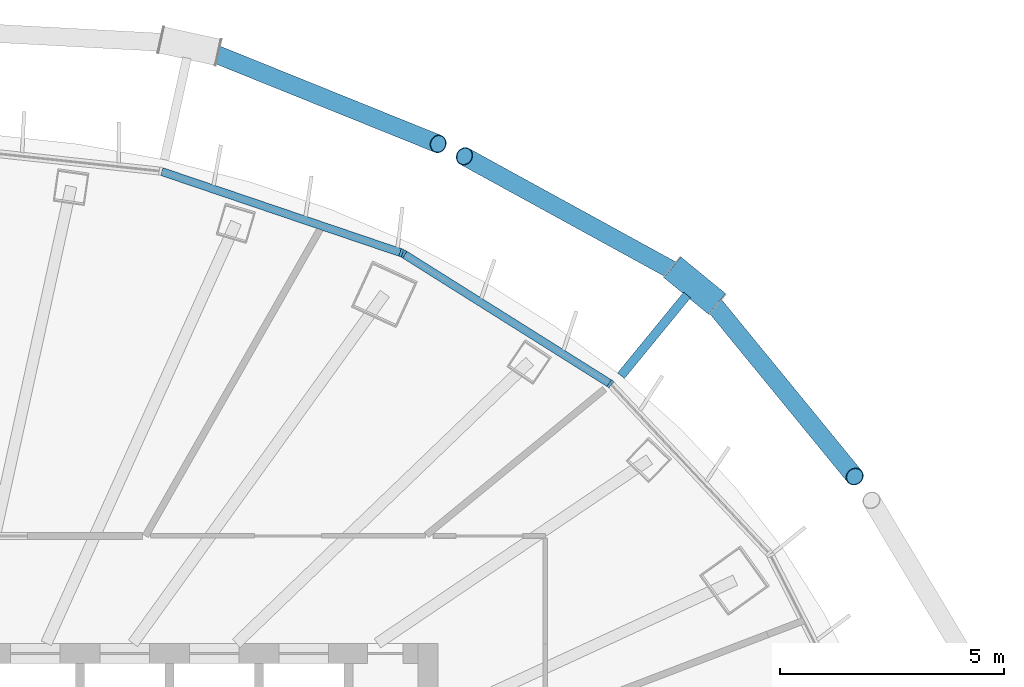
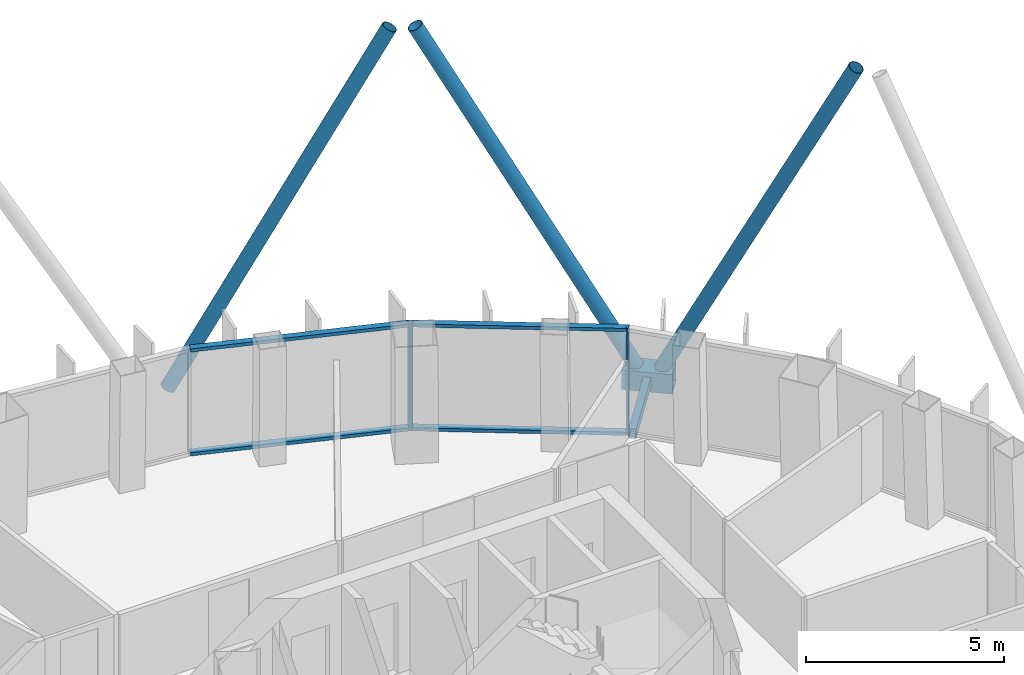
# One storey, part 7 of 18: 12 members, 2 elements without a shape of their own.
"""IFC4 building model written with IfcOpenShell, lengths in metres."""

from ifc_helpers import new_model, si_unit, direction, frame, origin, origin_2d, place, context, subcontext, project, spatial, rectangle, hollow_rectangle, hollow_circle, extrude, material, layer, layer_set, material_profile, profile_set, type_object, element, aggregate, save


model = new_model("IFC4")

# Units and contexts
model_context = context("Model", 3, precision=1e-05, world=origin(), true_north=direction((0.0, 1.0)))
body_context = subcontext(model_context, "Body", "Model", "MODEL_VIEW")
ifc_project = project(units=[si_unit("LENGTHUNIT", "METRE"), si_unit("AREAUNIT", "SQUARE_METRE"), si_unit("VOLUMEUNIT", "CUBIC_METRE"), si_unit("PLANEANGLEUNIT", "RADIAN"), si_unit("MASSUNIT", "GRAM", prefix="KILO")], contexts=[model_context])

# Site, building, storey
site_placement = place(None, origin())
site = spatial("IfcSite", under=ifc_project, at=site_placement, CompositionType="ELEMENT")
building_placement = place(site_placement, origin())
building = spatial("IfcBuilding", under=site, at=building_placement, Name="Siaravel Broadcast Tower", CompositionType="ELEMENT")
storey_placement = place(building_placement, frame((0.0, 0.0, 201.5)))
storey = spatial("IfcBuildingStorey", under=building, at=storey_placement, Name="L49", CompositionType="ELEMENT", Elevation=201.5)

# Curtain wall, members
ifc_material_1 = material(Name="Aluminium 6063-T6", Category="aluminium")
ifc_layer = layer(ifc_material_1, 0.179931640625)
ifc_layer_set = layer_set([ifc_layer], Name="Aluminium 6063-T6")
curtain_wall_type = type_object("IfcCurtainWallType", Name="Unitised curtain wall, zone 3", PredefinedType="NOTDEFINED", material=ifc_layer_set)
curtain_wall_1_placement = place(storey_placement, origin())
curtain_wall_1 = element("IfcCurtainWall", 1, at=curtain_wall_1_placement, inside=storey, type_object=curtain_wall_type, Name="L49 Unitised curtain wall, zone 3 02", PredefinedType="NOTDEFINED")
ifc_material_profile_1 = material_profile(ifc_material_1, rectangle(XDim=0.179931640625, YDim=0.06005859375, at=origin_2d()))
ifc_profile_set_1 = profile_set([ifc_material_profile_1], Name="Aluminium 6063-T6")
member_type_1 = type_object("IfcMemberType", Name="CW-Z3 mullion", PredefinedType="MULLION", material=ifc_profile_set_1)
member_1_placement = place(storey_placement, frame((15.85400390625, 12.9990234375, 0.0), z_axis=(0.0, 0.0, 1.0), x_axis=(-0.636220651, -0.77150715, 0.0)))
member_1 = element("IfcMember", 2, at=member_1_placement, type_object=member_type_1, Name="CW-Z3 mullion 2", PredefinedType="MULLION", context=body_context, shape_type="SweptSolid", body=[
    extrude(rectangle(XDim=0.179931640625, YDim=0.06005859375, at=origin_2d()), origin(), (0.0, 0.0, 1.0), 3.300048828125),
])
member_2_placement = place(storey_placement, frame((11.23486328125, 15.90234375, 0.0), z_axis=(0.0, 0.0, 1.0), x_axis=(-0.532151271, -0.846649293, 0.0)))
member_2 = element("IfcMember", 3, at=member_2_placement, type_object=member_type_1, Name="CW-Z3 mullion 3", PredefinedType="MULLION", context=body_context, shape_type="SweptSolid", body=[
    extrude(rectangle(XDim=0.179931640625, YDim=0.06005859375, at=origin_2d()), origin(), (0.0, 0.0, 1.0), 3.300048828125),
])

# Curtain wall, member
curtain_wall_2_placement = place(storey_placement, origin())
curtain_wall_2 = element("IfcCurtainWall", 4, at=curtain_wall_2_placement, inside=storey, type_object=curtain_wall_type, Name="L49 Unitised curtain wall, zone 3 03", PredefinedType="NOTDEFINED")
member_3_placement = place(storey_placement, frame((11.180908203125, 15.927978515625, 0.0), z_axis=(0.0, 0.0, 1.0), x_axis=(-0.321302122, -0.94697674, 0.0)))
member_3 = element("IfcMember", 5, at=member_3_placement, type_object=member_type_1, Name="CW-Z3 mullion 1", PredefinedType="MULLION", context=body_context, shape_type="SweptSolid", body=[
    extrude(rectangle(XDim=0.179931640625, YDim=0.06005859375, at=origin_2d()), origin(), (0.0, 0.0, 1.0), 3.300048828125),
])

# Member
ifc_material_profile_2 = material_profile(ifc_material_1, rectangle(XDim=0.179931640625, YDim=0.10009765625, at=origin_2d()))
ifc_profile_set_2 = profile_set([ifc_material_profile_2], Name="Aluminium 6063-T6")
member_type_2 = type_object("IfcMemberType", Name="CW-Z3 transom", PredefinedType="USERDEFINED", material=ifc_profile_set_2)
member_4_placement = place(storey_placement, frame((15.82861328125, 13.014892578125, 0.050048828125), z_axis=(-0.84665344, 0.532144672, 0.0), x_axis=(-0.532144672, -0.84665344, 0.0)))
member_4 = element("IfcMember", 6, at=member_4_placement, type_object=member_type_2, Name="CW-Z3 transom 2", ObjectType="TRANSOM", PredefinedType="USERDEFINED", context=body_context, shape_type="SweptSolid", body=[
    extrude(rectangle(XDim=0.179931640625, YDim=0.10009765625, at=origin_2d()), origin(), (0.0, 0.0, 1.0), 5.395751953125),
])

member_5_placement = place(storey_placement, frame((15.82861328125, 13.014892578125, 3.25), z_axis=(-0.84665344, 0.532144672, 0.0), x_axis=(-0.532144672, -0.84665344, 0.0)))
member_5 = element("IfcMember", 7, at=member_5_placement, type_object=member_type_2, Name="CW-Z3 transom 2", ObjectType="TRANSOM", PredefinedType="USERDEFINED", context=body_context, shape_type="SweptSolid", body=[
    extrude(rectangle(XDim=0.179931640625, YDim=0.10009765625, at=origin_2d()), origin(), (0.0, 0.0, 1.0), 5.395751953125),
])

aggregate(curtain_wall_1, [member_1, member_2, member_4, member_5])

member_6_placement = place(storey_placement, frame((11.152587890625, 15.9375, 0.050048828125), z_axis=(-0.946966662, 0.321331823, 0.0), x_axis=(-0.321331823, -0.946966662, 0.0)))
member_6 = element("IfcMember", 8, at=member_6_placement, type_object=member_type_2, Name="CW-Z3 transom 1", ObjectType="TRANSOM", PredefinedType="USERDEFINED", context=body_context, shape_type="SweptSolid", body=[
    extrude(rectangle(XDim=0.179931640625, YDim=0.10009765625, at=origin_2d()), origin(), (0.0, 0.0, 1.0), 5.6201171875),
])

member_7_placement = place(storey_placement, frame((11.152587890625, 15.9375, 3.25), z_axis=(-0.946966662, 0.321331823, 0.0), x_axis=(-0.321331823, -0.946966662, 0.0)))
member_7 = element("IfcMember", 9, at=member_7_placement, type_object=member_type_2, Name="CW-Z3 transom 1", ObjectType="TRANSOM", PredefinedType="USERDEFINED", context=body_context, shape_type="SweptSolid", body=[
    extrude(rectangle(XDim=0.179931640625, YDim=0.10009765625, at=origin_2d()), origin(), (0.0, 0.0, 1.0), 5.6201171875),
])

aggregate(curtain_wall_2, [member_3, member_6, member_7])

# Members
ifc_material_2 = material(Name="Steel S460", Category="steel")
ifc_material_profile_3 = material_profile(ifc_material_2, hollow_circle(Radius=0.203125, WallThickness=0.01611328125, at=origin_2d()))
ifc_profile_set_3 = profile_set([ifc_material_profile_3], Name="Steel S460")
member_type_3 = type_object("IfcMemberType", Name="Diagrid diagonal CHS 406.4x16", PredefinedType="BRACE", material=ifc_profile_set_3)
member_8_placement = place(storey_placement, frame((17.99169921875, 14.989013671875, 0.070068359375), z_axis=(0.281967877, -0.344489388, 0.895444682), x_axis=(0.773832966, 0.633389723, 0.0)))
element("IfcMember", 10, at=member_8_placement, inside=storey, type_object=member_type_3, Name="Diagrid diagonal R20 station 09C", PredefinedType="BRACE", context=body_context, shape_type="SweptSolid", body=[
    extrude(hollow_circle(Radius=0.203125, WallThickness=0.01611328125, at=origin_2d()), origin(), (0.0, 0.0, 1.0), 11.792724609375),
])
member_9_placement = place(storey_placement, frame((17.4912109375, 15.399169921875, 0.070068359375), z_axis=(-0.410081758, 0.224832785, 0.883902241), x_axis=(-0.480749166, -0.876858164, 0.0)))
element("IfcMember", 11, at=member_9_placement, inside=storey, type_object=member_type_3, Name="Diagrid diagonal R20 station 09A", PredefinedType="BRACE", context=body_context, shape_type="SweptSolid", body=[
    extrude(hollow_circle(Radius=0.203125, WallThickness=0.01611328125, at=origin_2d()), origin(), (0.0, 0.0, 1.0), 11.94677734375),
])
member_10_placement = place(storey_placement, frame((6.76416015625, 20.47802734375, 0.070068359375), z_axis=(0.437706738, -0.176672503, 0.881589268), x_axis=(0.374292406, 0.927310732, 0.0)))
element("IfcMember", 12, at=member_10_placement, inside=storey, type_object=member_type_3, Name="Diagrid diagonal R20 station 15C", PredefinedType="BRACE", context=body_context, shape_type="SweptSolid", body=[
    extrude(hollow_circle(Radius=0.203125, WallThickness=0.01611328125, at=origin_2d()), origin(), (0.0, 0.0, 1.0), 11.978271484375),
])
ifc_material_profile_4 = material_profile(ifc_material_2, hollow_rectangle(XDim=0.60009765625, YDim=0.60009765625, WallThickness=0.031982421875, at=origin_2d()))
ifc_profile_set_4 = profile_set([ifc_material_profile_4], Name="Steel S460")
member_type_4 = type_object("IfcMemberType", Name="Diagrid node BOX 600x600x32", PredefinedType="USERDEFINED", material=ifc_profile_set_4)
member_11_placement = place(storey_placement, frame((18.24169921875, 14.7841796875, -0.199951171875), z_axis=(-0.773486151, 0.633813201, 0.0), x_axis=(-0.633813201, -0.773486151, 0.0)))
element("IfcMember", 13, at=member_11_placement, inside=storey, type_object=member_type_4, Name="Diagrid node R20 station 09", ObjectType="DIAGRID NODE", PredefinedType="USERDEFINED", context=body_context, shape_type="SweptSolid", body=[
    extrude(hollow_rectangle(XDim=0.60009765625, YDim=0.60009765625, WallThickness=0.031982421875, at=origin_2d()), origin(), (0.0, 0.0, 1.0), 1.29345703125),
])
ifc_material_profile_5 = material_profile(ifc_material_2, hollow_rectangle(XDim=0.199951171875, YDim=0.300048828125, WallThickness=0.012451171875, at=origin_2d()))
ifc_profile_set_5 = profile_set([ifc_material_profile_5], Name="Steel S460")
member_type_5 = type_object("IfcMemberType", Name="Diagrid node arm RHS 300x200x12.5", PredefinedType="STRUT", material=ifc_profile_set_5)
member_12_placement = place(storey_placement, frame((16.093994140625, 13.1826171875, -0.199951171875), z_axis=(0.633637135, 0.77363039, 0.0), x_axis=(-0.77363039, 0.633637135, 0.0)))
element("IfcMember", 14, at=member_12_placement, inside=storey, type_object=member_type_5, Name="Node arm R20 station 09", PredefinedType="STRUT", context=body_context, shape_type="SweptSolid", body=[
    extrude(hollow_rectangle(XDim=0.199951171875, YDim=0.300048828125, WallThickness=0.012451171875, at=origin_2d()), origin(), (0.0, 0.0, 1.0), 2.329833984375),
])

save(model, "model.ifc")
